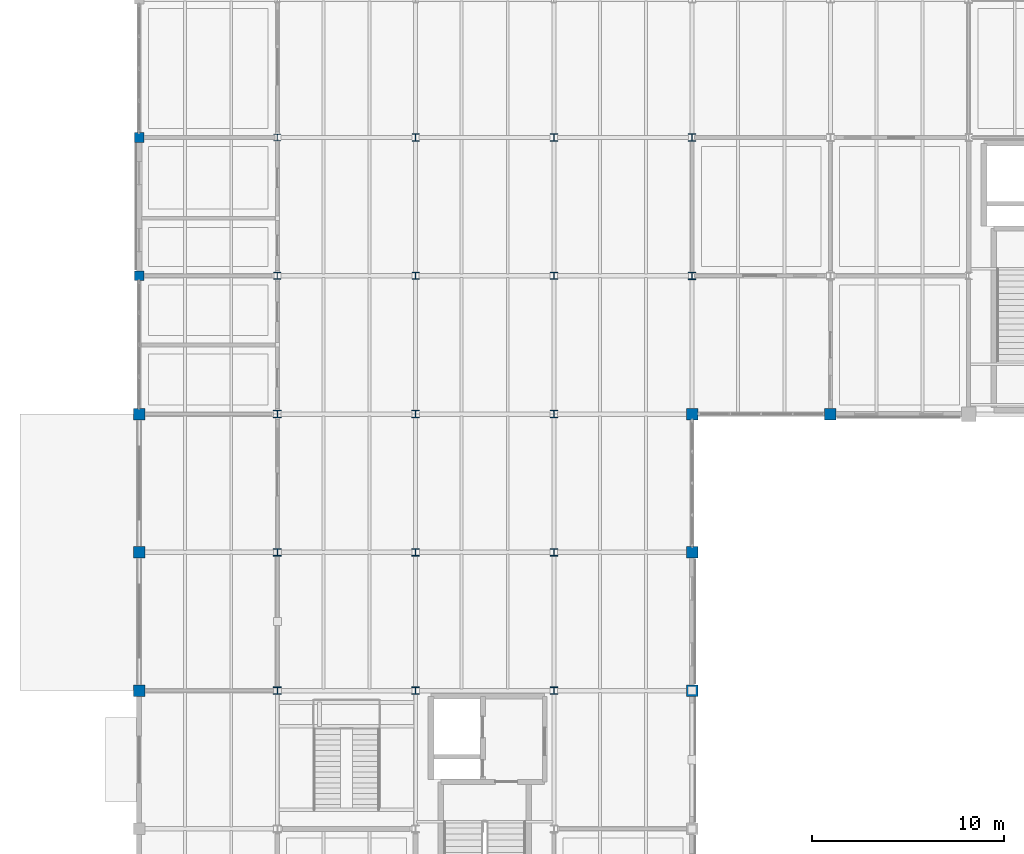
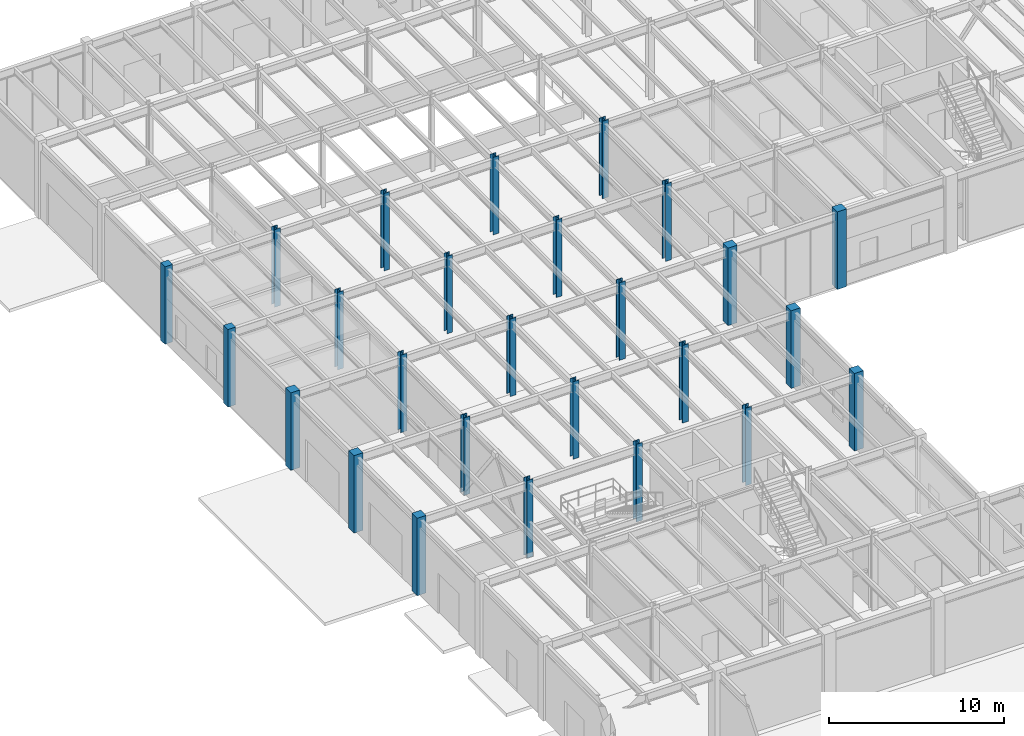
# One storey, part 9 of 97: 26 columns.
"""IFC4 building model written with IfcOpenShell, lengths in metres."""

from ifc_helpers import new_model, si_unit, direction, frame, origin, origin_2d, place, context, subcontext, project, spatial, rectangle, i_section, extrude, material, material_profile, profile_set, type_object, element, save


model = new_model("IFC4")

# Units and contexts
model_context = context("Model", 3, precision=1e-05, world=origin(), true_north=direction((0.0, 1.0)))
body_context = subcontext(model_context, "Body", "Model", "MODEL_VIEW")
ifc_project = project(units=[si_unit("LENGTHUNIT", "METRE"), si_unit("AREAUNIT", "SQUARE_METRE"), si_unit("VOLUMEUNIT", "CUBIC_METRE"), si_unit("PLANEANGLEUNIT", "RADIAN"), si_unit("MASSUNIT", "GRAM", prefix="KILO")], contexts=[model_context])

# Site, building, storey
site_placement = place(None, origin())
site = spatial("IfcSite", under=ifc_project, at=site_placement, CompositionType="ELEMENT")
building_placement = place(site_placement, origin())
building = spatial("IfcBuilding", under=site, at=building_placement, Name="Sillqori Civic Hall", CompositionType="ELEMENT")
storey_placement = place(building_placement, origin())
storey = spatial("IfcBuildingStorey", under=building, at=storey_placement, Name="L01", CompositionType="ELEMENT", Elevation=0.0)

# Columns
ifc_material_1 = material(Name="Concrete C35/45 (H35)", Category="concrete")
ifc_material_profile_1 = material_profile(ifc_material_1, rectangle(XDim=0.5, YDim=0.5, at=origin_2d()), Name="RC 500x500")
ifc_profile_set_1 = profile_set([ifc_material_profile_1], Name="Concrete C35/45 (H35)")
column_type_1 = type_object("IfcColumnType", Name="COL-RC500", PredefinedType="COLUMN", material=ifc_profile_set_1)
for number, where, z_axis, x_axis, name in (
    (1, (7.199951171875, 86.39990234375, 0.0), (0.0, 0.0, 1.0), (1.0, 0.0, 0.0), "L01 column 1-12"),
    (2, (7.199951171875, 93.60009765625, 0.0), (0.0, 0.0, 1.0), (1.0, 0.0, 0.0), "L01 column 1-13"),
):
    element("IfcColumn", number, at=place(storey_placement, frame(where, z_axis=z_axis, x_axis=x_axis)), inside=storey, type_object=column_type_1, Name=name, PredefinedType="COLUMN", context=body_context, shape_type="SweptSolid", body=[
        extrude(rectangle(XDim=0.5, YDim=0.5, at=origin_2d()), origin(), (0.0, 0.0, 1.0), 5.39990234375),
    ])
ifc_material_profile_2 = material_profile(ifc_material_1, rectangle(XDim=0.60009765625, YDim=0.60009765625, at=origin_2d()), Name="RC 600x600")
ifc_profile_set_2 = profile_set([ifc_material_profile_2], Name="Concrete C35/45 (H35)")
column_type_2 = type_object("IfcColumnType", Name="COL-RC600", PredefinedType="COLUMN", material=ifc_profile_set_2)
for number, where, z_axis, x_axis, name in (
    (3, (7.199951171875, 64.800048828125, 0.0), (0.0, 0.0, 1.0), (1.0, 0.0, 0.0), "L01 column 1-9"),
    (4, (7.199951171875, 72.0, 0.0), (0.0, 0.0, 1.0), (1.0, 0.0, 0.0), "L01 column 1-10"),
    (5, (7.199951171875, 79.199951171875, 0.0), (0.0, 0.0, 1.0), (1.0, 0.0, 0.0), "L01 column 1-11"),
    (6, (36.0, 64.800048828125, 0.0), (0.0, 0.0, 1.0), (1.0, 0.0, 0.0), "L01 column 5-9"),
    (7, (36.0, 72.0, 0.0), (0.0, 0.0, 1.0), (1.0, 0.0, 0.0), "L01 column 5-10"),
    (8, (36.0, 79.199951171875, 0.0), (0.0, 0.0, 1.0), (1.0, 0.0, 0.0), "L01 column 5-11"),
    (9, (43.199951171875, 79.199951171875, 0.0), (0.0, 0.0, 1.0), (1.0, 0.0, 0.0), "L01 column 6-11"),
):
    element("IfcColumn", number, at=place(storey_placement, frame(where, z_axis=z_axis, x_axis=x_axis)), inside=storey, type_object=column_type_2, Name=name, PredefinedType="COLUMN", context=body_context, shape_type="SweptSolid", body=[
        extrude(rectangle(XDim=0.60009765625, YDim=0.60009765625, at=origin_2d()), origin(), (0.0, 0.0, 1.0), 5.39990234375),
    ])
ifc_material_2 = material(Name="Steel ASTM A992", Category="steel")
ifc_material_profile_3 = material_profile(ifc_material_2, i_section(OverallWidth=0.373046875, OverallDepth=0.367919921875, WebThickness=0.014892578125, FlangeThickness=0.02392578125, FilletRadius=0.014892578125, at=origin_2d()), Name="W14X120")
ifc_profile_set_3 = profile_set([ifc_material_profile_3], Name="Steel ASTM A992")
column_type_3 = type_object("IfcColumnType", Name="COL-W14X120", PredefinedType="COLUMN", material=ifc_profile_set_3)
for number, where, z_axis, x_axis, name in (
    (10, (21.60009765625, 86.39990234375, 0.0), (0.0, 0.0, 1.0), (1.0, 0.0, 0.0), "L01 column 3-12"),
    (11, (21.60009765625, 93.60009765625, 0.0), (0.0, 0.0, 1.0), (1.0, 0.0, 0.0), "L01 column 3-13"),
):
    element("IfcColumn", number, at=place(storey_placement, frame(where, z_axis=z_axis, x_axis=x_axis)), inside=storey, type_object=column_type_3, Name=name, PredefinedType="COLUMN", context=body_context, shape_type="SweptSolid", body=[
        extrude(i_section(OverallWidth=0.373046875, OverallDepth=0.367919921875, WebThickness=0.014892578125, FlangeThickness=0.02392578125, FilletRadius=0.014892578125, at=origin_2d()), origin(), (0.0, 0.0, 1.0), 5.39990234375),
    ])
ifc_material_profile_4 = material_profile(ifc_material_2, i_section(OverallWidth=0.39404296875, OverallDepth=0.3759765625, WebThickness=0.017333984375, FlangeThickness=0.027587890625, FilletRadius=0.014892578125, at=origin_2d()), Name="W14X145")
ifc_profile_set_4 = profile_set([ifc_material_profile_4], Name="Steel ASTM A992")
column_type_4 = type_object("IfcColumnType", Name="COL-W14X145", PredefinedType="COLUMN", material=ifc_profile_set_4)
for number, where, z_axis, x_axis, name in (
    (12, (28.800048828125, 86.39990234375, 0.0), (0.0, 0.0, 1.0), (1.0, 0.0, 0.0), "L01 column 4-12"),
    (13, (28.800048828125, 93.60009765625, 0.0), (0.0, 0.0, 1.0), (1.0, 0.0, 0.0), "L01 column 4-13"),
):
    element("IfcColumn", number, at=place(storey_placement, frame(where, z_axis=z_axis, x_axis=x_axis)), inside=storey, type_object=column_type_4, Name=name, PredefinedType="COLUMN", context=body_context, shape_type="SweptSolid", body=[
        extrude(i_section(OverallWidth=0.39404296875, OverallDepth=0.3759765625, WebThickness=0.017333984375, FlangeThickness=0.027587890625, FilletRadius=0.014892578125, at=origin_2d()), origin(), (0.0, 0.0, 1.0), 5.39990234375),
    ])
ifc_material_profile_5 = material_profile(ifc_material_2, i_section(OverallWidth=0.39892578125, OverallDepth=0.385986328125, WebThickness=0.02099609375, FlangeThickness=0.033203125, FilletRadius=0.014892578125, at=origin_2d()), Name="W14X176")
ifc_profile_set_5 = profile_set([ifc_material_profile_5], Name="Steel ASTM A992")
column_type_5 = type_object("IfcColumnType", Name="COL-W14X176", PredefinedType="COLUMN", material=ifc_profile_set_5)
for number, where, z_axis, x_axis, name in (
    (14, (14.39990234375, 64.800048828125, 0.0), (0.0, 0.0, 1.0), (1.0, 0.0, 0.0), "L01 column 2-9"),
    (15, (14.39990234375, 72.0, 0.0), (0.0, 0.0, 1.0), (1.0, 0.0, 0.0), "L01 column 2-10"),
    (16, (14.39990234375, 79.199951171875, 0.0), (0.0, 0.0, 1.0), (1.0, 0.0, 0.0), "L01 column 2-11"),
    (17, (21.60009765625, 64.800048828125, 0.0), (0.0, 0.0, 1.0), (1.0, 0.0, 0.0), "L01 column 3-9"),
    (18, (21.60009765625, 72.0, 0.0), (0.0, 0.0, 1.0), (1.0, 0.0, 0.0), "L01 column 3-10"),
    (19, (21.60009765625, 79.199951171875, 0.0), (0.0, 0.0, 1.0), (1.0, 0.0, 0.0), "L01 column 3-11"),
    (20, (28.800048828125, 64.800048828125, 0.0), (0.0, 0.0, 1.0), (1.0, 0.0, 0.0), "L01 column 4-9"),
    (21, (28.800048828125, 72.0, 0.0), (0.0, 0.0, 1.0), (1.0, 0.0, 0.0), "L01 column 4-10"),
    (22, (28.800048828125, 79.199951171875, 0.0), (0.0, 0.0, 1.0), (1.0, 0.0, 0.0), "L01 column 4-11"),
    (23, (36.0, 86.39990234375, 0.0), (0.0, 0.0, 1.0), (1.0, 0.0, 0.0), "L01 column 5-12"),
    (24, (36.0, 93.60009765625, 0.0), (0.0, 0.0, 1.0), (1.0, 0.0, 0.0), "L01 column 5-13"),
):
    element("IfcColumn", number, at=place(storey_placement, frame(where, z_axis=z_axis, x_axis=x_axis)), inside=storey, type_object=column_type_5, Name=name, PredefinedType="COLUMN", context=body_context, shape_type="SweptSolid", body=[
        extrude(i_section(OverallWidth=0.39892578125, OverallDepth=0.385986328125, WebThickness=0.02099609375, FlangeThickness=0.033203125, FilletRadius=0.014892578125, at=origin_2d()), origin(), (0.0, 0.0, 1.0), 5.39990234375),
    ])
ifc_material_profile_6 = material_profile(ifc_material_2, i_section(OverallWidth=0.37109375, OverallDepth=0.361083984375, WebThickness=0.012451171875, FlangeThickness=0.019775390625, FilletRadius=0.014892578125, at=origin_2d()), Name="W14X99")
ifc_profile_set_6 = profile_set([ifc_material_profile_6], Name="Steel ASTM A992")
column_type_6 = type_object("IfcColumnType", Name="COL-W14X99", PredefinedType="COLUMN", material=ifc_profile_set_6)
for number, where, z_axis, x_axis, name in (
    (25, (14.39990234375, 86.39990234375, 0.0), (0.0, 0.0, 1.0), (1.0, 0.0, 0.0), "L01 column 2-12"),
    (26, (14.39990234375, 93.60009765625, 0.0), (0.0, 0.0, 1.0), (1.0, 0.0, 0.0), "L01 column 2-13"),
):
    element("IfcColumn", number, at=place(storey_placement, frame(where, z_axis=z_axis, x_axis=x_axis)), inside=storey, type_object=column_type_6, Name=name, PredefinedType="COLUMN", context=body_context, shape_type="SweptSolid", body=[
        extrude(i_section(OverallWidth=0.37109375, OverallDepth=0.361083984375, WebThickness=0.012451171875, FlangeThickness=0.019775390625, FilletRadius=0.014892578125, at=origin_2d()), origin(), (0.0, 0.0, 1.0), 5.39990234375),
    ])

save(model, "model.ifc")
